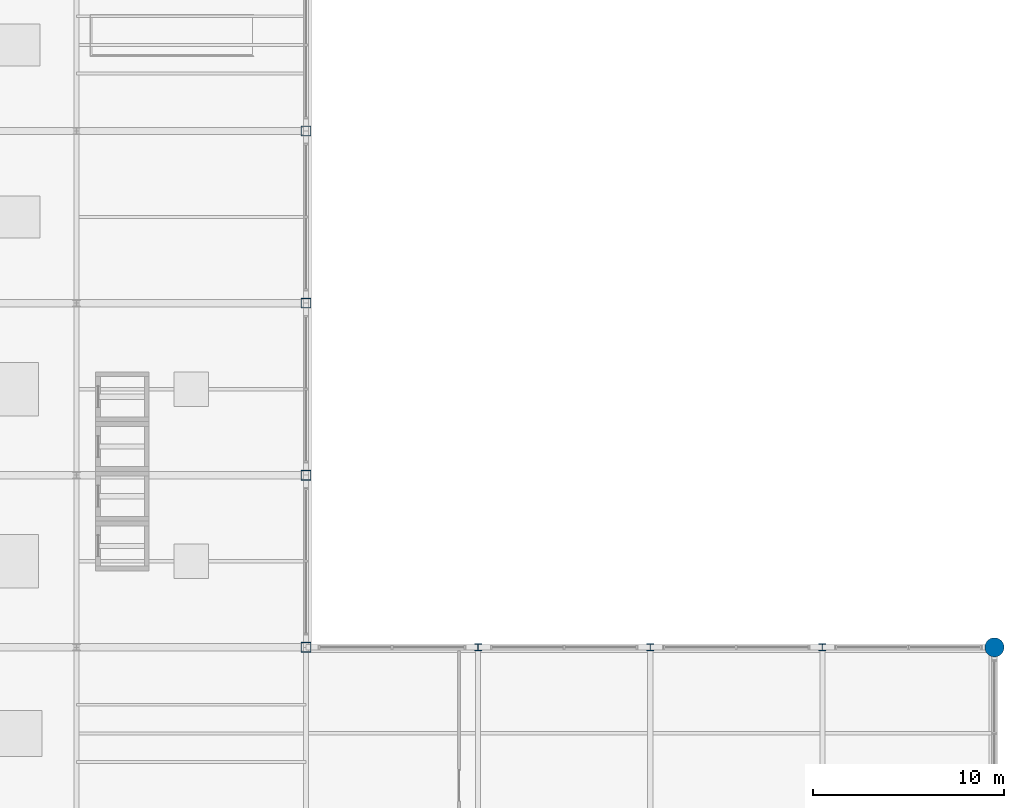
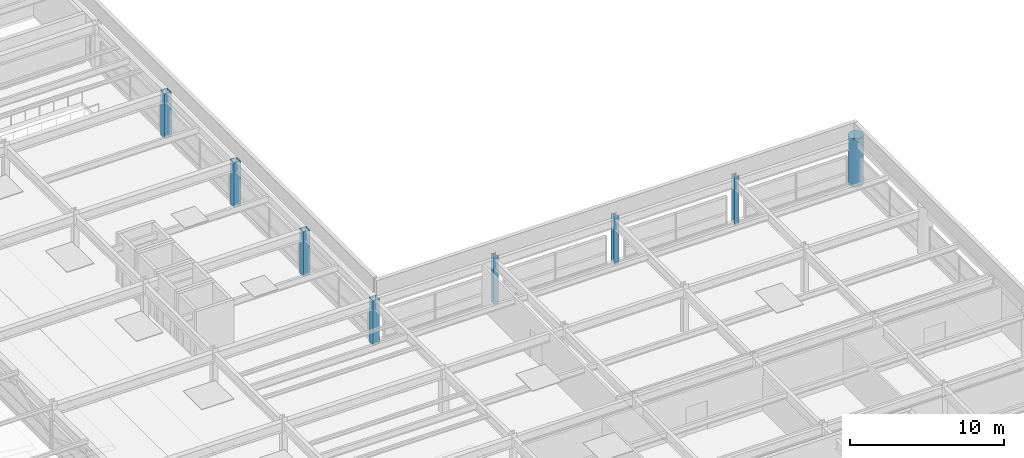
# One storey, part 16 of 108: 8 columns.
"""IFC4 building model written with IfcOpenShell, lengths in metres."""

import ifcopenshell
import ifcopenshell.guid

model = None  # the IFC model being written
_history = None  # IfcOwnerHistory: only IFC2X3 demands one
_inside = {}  # id of a spatial element -> (the spatial element, [elements in it])
_under = {}  # id of a project, library or spatial element -> (it, [spatial elements below it])
_declared = {}  # id of a project -> (the project, [libraries it declares])
_typed = {}  # id of a type object -> (the type object, [elements of that type])
_made_of = {}  # id of a material, layer set ... -> (it, [elements and type objects made of it])


def new_model(schema):
    """Start an empty IFC model of exactly this schema.

    Asked for "IFC4X3", IfcOpenShell would pick the latest addendum, in which some entities
    have other attributes; the version numbers below select the first issue.
    IFC2X3 requires an IfcOwnerHistory on every rooted entity: one is made here for all.
    """
    global model, _history
    if schema == "IFC4X3":
        model = ifcopenshell.file(schema_version=(4, 3, 0, 0))
    else:
        model = ifcopenshell.file(schema=schema)
    _inside.clear()
    _under.clear()
    _declared.clear()
    _typed.clear()
    _made_of.clear()
    _history = None
    if model.schema == "IFC2X3":
        org = make("IfcOrganization", Name="unknown")
        user = make(
            "IfcPersonAndOrganization",
            ThePerson=make("IfcPerson", FamilyName="unknown"),
            TheOrganization=org,
        )
        app = make(
            "IfcApplication",
            ApplicationDeveloper=org,
            Version="unknown",
            ApplicationFullName="unknown",
            ApplicationIdentifier="unknown",
        )
        _history = make(
            "IfcOwnerHistory",
            OwningUser=user,
            OwningApplication=app,
            ChangeAction="ADDED",
            CreationDate=0,
        )
    return model


def make(cls, **values):
    """One entity of the class cls with the attributes given. An attribute that is None is left unset."""
    return model.create_entity(
        cls, **{name: value for name, value in values.items() if value is not None}
    )


def rooted(cls, **values):
    """An entity with a GlobalId (a new one), such as an element, a storey or a relation."""
    return make(cls, GlobalId=ifcopenshell.guid.new(), OwnerHistory=_history, **values)


def si_unit(unit_type, name, prefix=None):
    """IfcSIUnit, for example si_unit("LENGTHUNIT", "METRE", prefix="MILLI")."""
    return make("IfcSIUnit", UnitType=unit_type, Prefix=prefix, Name=name)


def assignment(units):
    """IfcUnitAssignment: the units of a project."""
    return None if units is None else make("IfcUnitAssignment", Units=units)


def point(xyz):
    """IfcCartesianPoint."""
    return None if xyz is None else make("IfcCartesianPoint", Coordinates=xyz)


def direction(xyz):
    """IfcDirection."""
    return None if xyz is None else make("IfcDirection", DirectionRatios=xyz)


def frame(location, z_axis=None, x_axis=None):
    """IfcAxis2Placement3D, a coordinate frame: its origin and axes. An axis left out is left unset."""
    return make(
        "IfcAxis2Placement3D",
        Location=point(location),
        Axis=direction(z_axis),
        RefDirection=direction(x_axis),
    )


def frame_2d(location, x_axis=None):
    """IfcAxis2Placement2D, a coordinate frame in the plane: its origin and x axis."""
    return make(
        "IfcAxis2Placement2D", Location=point(location), RefDirection=direction(x_axis)
    )


def origin():
    """The frame at (0, 0, 0) with its axes left unset."""
    return frame((0.0, 0.0, 0.0))


def origin_2d():
    """The frame at (0, 0) in the plane with its x axis left unset."""
    return frame_2d((0.0, 0.0))


def place(relative_to, where):
    """IfcLocalPlacement: puts the frame where relative to a parent placement (None: the world)."""
    return make(
        "IfcLocalPlacement", PlacementRelTo=relative_to, RelativePlacement=where
    )


def context(
    kind, dimensions, precision=None, world=None, true_north=None, identifier=None
):
    """IfcGeometricRepresentationContext, for example the 3D "Model" context."""
    return make(
        "IfcGeometricRepresentationContext",
        ContextIdentifier=identifier,
        ContextType=kind,
        CoordinateSpaceDimension=dimensions,
        Precision=precision,
        WorldCoordinateSystem=world,
        TrueNorth=true_north,
    )


def subcontext(parent, identifier, kind, view, scale=None):
    """IfcGeometricRepresentationSubContext, for example "Body" below "Model"."""
    return make(
        "IfcGeometricRepresentationSubContext",
        ContextIdentifier=identifier,
        ContextType=kind,
        ParentContext=parent,
        TargetScale=scale,
        TargetView=view,
    )


def project(units=None, contexts=None):
    """IfcProject with its units and contexts."""
    return rooted(
        "IfcProject",
        Name="project",
        RepresentationContexts=contexts,
        UnitsInContext=assignment(units),
    )


def spatial(cls, under=None, at=None, **own):
    """A site, building, storey or space (cls), placed at a placement, below another one or the project."""
    s = rooted(cls, ObjectPlacement=at, **own)
    if under is not None:
        _under.setdefault(under.id(), (under, []))[1].append(s)
    return s


def profile(cls, at=None, kind="AREA", **sizes):
    """A parametric profile (cls). Its sizes go by their IFC names, for example OverallWidth=200.0."""
    return make(cls, ProfileType=kind, Position=at, **sizes)


def hollow_rectangle(**sizes):
    """IfcRectangleHollowProfileDef."""
    return profile("IfcRectangleHollowProfileDef", **sizes)


def circle(**sizes):
    """IfcCircleProfileDef."""
    return profile("IfcCircleProfileDef", **sizes)


def i_section(**sizes):
    """IfcIShapeProfileDef."""
    return profile("IfcIShapeProfileDef", **sizes)


def extrude(swept, where, along, depth):
    """IfcExtrudedAreaSolid: the profile swept, set in the frame where, extruded along a direction by depth."""
    return make(
        "IfcExtrudedAreaSolid",
        SweptArea=swept,
        Position=where,
        ExtrudedDirection=direction(along),
        Depth=depth,
    )


def shape(context_of_items, identifier, shape_type, items):
    """IfcShapeRepresentation: the items that make up one representation, for example the "Body"."""
    return make(
        "IfcShapeRepresentation",
        ContextOfItems=context_of_items,
        RepresentationIdentifier=identifier,
        RepresentationType=shape_type,
        Items=items,
    )


def material(Name=None, Category=None):
    """IfcMaterial."""
    return make("IfcMaterial", Name=Name, Category=Category)


def material_profile(
    of_material, cross_section, Name=None, Category=None, Priority=None
):
    """IfcMaterialProfile: a cross section and its material."""
    return make(
        "IfcMaterialProfile",
        Name=Name,
        Material=of_material,
        Profile=cross_section,
        Priority=Priority,
        Category=Category,
    )


def profile_set(profiles, Name=None, composite=None):
    """IfcMaterialProfileSet."""
    return make(
        "IfcMaterialProfileSet",
        Name=Name,
        MaterialProfiles=profiles,
        CompositeProfile=composite,
    )


def made_of(thing, what):
    """Note that an element or type object is made of a material, layer set ...; save() writes the relation."""
    if what is not None:
        _made_of.setdefault(what.id(), (what, []))[1].append(thing)
    return thing


def type_object(cls, material=None, **own):
    """A type object (cls), such as IfcWallType, which elements share."""
    return made_of(rooted(cls, **own), material)


def element(
    cls,
    number,
    at=None,
    inside=None,
    cuts=None,
    type_object=None,
    material=None,
    context=None,
    identifier="Body",
    shape_type=None,
    held_by="IfcProductDefinitionShape",
    body=None,
    shapes=None,
    **own,
):
    """One element of the class cls, such as IfcWall. Its Tag is "e" and its number.

    at: its placement. inside: the storey or other place that contains it. cuts: it is an
    opening in that element (IfcRelVoidsElement). A single representation is given by context,
    identifier, shape_type and body (its items); several are given by shapes. held_by: the class
    of the entity that holds the representations. save() writes the other relations.
    """
    e = rooted(cls, Tag="e%d" % number, ObjectPlacement=at, **own)
    if body is not None:
        shapes = [shape(context, identifier, shape_type, body)]
    if shapes is not None:
        e.Representation = make(held_by, Representations=shapes)
    if inside is not None:
        _inside.setdefault(inside.id(), (inside, []))[1].append(e)
    if cuts is not None:
        rooted(
            "IfcRelVoidsElement", RelatingBuildingElement=cuts, RelatedOpeningElement=e
        )
    if type_object is not None:
        _typed.setdefault(type_object.id(), (type_object, []))[1].append(e)
    return made_of(e, material)


def aggregate(whole, parts):
    """IfcRelAggregates: a whole, such as a stair, and the parts it consists of."""
    return rooted("IfcRelAggregates", RelatingObject=whole, RelatedObjects=parts)


def save(model, path):
    """Write the relations noted so far, then the file.

    IfcRelAggregates (storeys below a building ...), IfcRelContainedInSpatialStructure (elements
    in a storey), IfcRelDefinesByType, IfcRelAssociatesMaterial and IfcRelDeclares: one each for
    every whole, place, type object, material and project.
    """
    for whole, parts in _under.values():
        aggregate(whole, parts)
    for where, things in _inside.values():
        rooted(
            "IfcRelContainedInSpatialStructure",
            RelatedElements=things,
            RelatingStructure=where,
        )
    for kind, things in _typed.values():
        rooted("IfcRelDefinesByType", RelatedObjects=things, RelatingType=kind)
    for what, things in _made_of.values():
        rooted("IfcRelAssociatesMaterial", RelatedObjects=things, RelatingMaterial=what)
    for by, libraries in _declared.values():
        rooted("IfcRelDeclares", RelatingContext=by, RelatedDefinitions=libraries)
    model.write(path)


model = new_model("IFC4")

# Units and contexts
model_context = context("Model", 3, precision=1e-05, world=origin(), true_north=direction((0.0, 1.0)))
body_context = subcontext(model_context, "Body", "Model", "MODEL_VIEW")
ifc_project = project(units=[si_unit("LENGTHUNIT", "METRE"), si_unit("AREAUNIT", "SQUARE_METRE"), si_unit("VOLUMEUNIT", "CUBIC_METRE"), si_unit("PLANEANGLEUNIT", "RADIAN"), si_unit("MASSUNIT", "GRAM", prefix="KILO")], contexts=[model_context])

# Site, building, storey
site_placement = place(None, origin())
site = spatial("IfcSite", under=ifc_project, at=site_placement, CompositionType="ELEMENT")
building_placement = place(site_placement, origin())
building = spatial("IfcBuilding", under=site, at=building_placement, Name="Kaldorvane Square Convention Centre", CompositionType="ELEMENT")
storey_placement = place(building_placement, frame((0.0, 0.0, 23.399993896484375)))
storey = spatial("IfcBuildingStorey", under=building, at=storey_placement, Name="L04", CompositionType="ELEMENT", Elevation=23.399993896484375)

# Columns
ifc_material_1 = material(Name="Steel ASTM A500 Gr. C", Category="steel")
ifc_material_profile_1 = material_profile(ifc_material_1, hollow_rectangle(XDim=0.50799560546875, YDim=0.50799560546875, WallThickness=0.014801025390625, at=origin_2d()), Name="HSS20X20X5/8")
ifc_profile_set_1 = profile_set([ifc_material_profile_1], Name="Steel ASTM A500 Gr. C")
column_type_1 = type_object("IfcColumnType", Name="COL-HSS-20", PredefinedType="COLUMN", material=ifc_profile_set_1)
for number, where, z_axis, x_axis, name in (
    (1, (138.0, 36.0, 0.0), (0.0, 0.0, 1.0), (1.0, 0.0, 0.0), "Column SC-13 (L04)"),
    (2, (138.0, 45.0, 0.0), (0.0, 0.0, 1.0), (1.0, 0.0, 0.0), "Column SC-13 (L04)"),
    (3, (138.0, 54.0, 0.0), (0.0, 0.0, 1.0), (1.0, 0.0, 0.0), "Column SC-13 (L04)"),
    (4, (138.0, 63.0, 0.0), (0.0, 0.0, 1.0), (1.0, 0.0, 0.0), "Column SC-13 (L04)"),
):
    element("IfcColumn", number, at=place(storey_placement, frame(where, z_axis=z_axis, x_axis=x_axis)), inside=storey, type_object=column_type_1, Name=name, PredefinedType="COLUMN", context=body_context, shape_type="SweptSolid", body=[
        extrude(hollow_rectangle(XDim=0.50799560546875, YDim=0.50799560546875, WallThickness=0.014801025390625, at=origin_2d()), origin(), (0.0, 0.0, 1.0), 3.529998779296875),
    ])
ifc_material_2 = material(Name="Concrete f'c = 55 MPa (Normalweight)", Category="concrete")
ifc_material_profile_2 = material_profile(ifc_material_2, circle(Radius=0.5, at=origin_2d()), Name="RC-D1000")
ifc_profile_set_2 = profile_set([ifc_material_profile_2], Name="Concrete f'c = 55 MPa (Normalweight)")
column_type_2 = type_object("IfcColumnType", Name="COL-RC-D1000", PredefinedType="COLUMN", material=ifc_profile_set_2)
column_placement = place(storey_placement, frame((174.0, 36.0, 0.0), z_axis=(0.0, 0.0, 1.0), x_axis=(1.0, 0.0, 0.0)))
element("IfcColumn", 5, at=column_placement, inside=storey, type_object=column_type_2, Name="Column CC-08 (L04)", PredefinedType="COLUMN", context=body_context, shape_type="SweptSolid", body=[
    extrude(circle(Radius=0.5, at=origin_2d()), origin(), (0.0, 0.0, 1.0), 3.850006103515625),
])
ifc_material_3 = material(Name="Steel ASTM A992 Gr. 50", Category="steel")
ifc_material_profile_3 = material_profile(ifc_material_3, i_section(OverallWidth=0.3701019287109375, OverallDepth=0.360198974609375, WebThickness=0.012298583984375, FlangeThickness=0.019805908203125, FilletRadius=0.0305023193359375, at=origin_2d()), Name="W14X99")
ifc_profile_set_3 = profile_set([ifc_material_profile_3], Name="Steel ASTM A992 Gr. 50")
column_type_3 = type_object("IfcColumnType", Name="COL-STL-99", PredefinedType="COLUMN", material=ifc_profile_set_3)
for number, where, z_axis, x_axis, name in (
    (6, (147.0, 36.0, 0.0), (0.0, 0.0, 1.0), (1.0, 0.0, 0.0), "Column SC-12 (L04)"),
    (7, (156.0, 36.0, 0.0), (0.0, 0.0, 1.0), (1.0, 0.0, 0.0), "Column SC-12 (L04)"),
    (8, (165.0, 36.0, 0.0), (0.0, 0.0, 1.0), (1.0, 0.0, 0.0), "Column SC-12 (L04)"),
):
    element("IfcColumn", number, at=place(storey_placement, frame(where, z_axis=z_axis, x_axis=x_axis)), inside=storey, type_object=column_type_3, Name=name, PredefinedType="COLUMN", context=body_context, shape_type="SweptSolid", body=[
        extrude(i_section(OverallWidth=0.3701019287109375, OverallDepth=0.360198974609375, WebThickness=0.012298583984375, FlangeThickness=0.019805908203125, FilletRadius=0.0305023193359375, at=origin_2d()), origin(), (0.0, 0.0, 1.0), 3.850006103515625),
    ])

save(model, "model.ifc")
